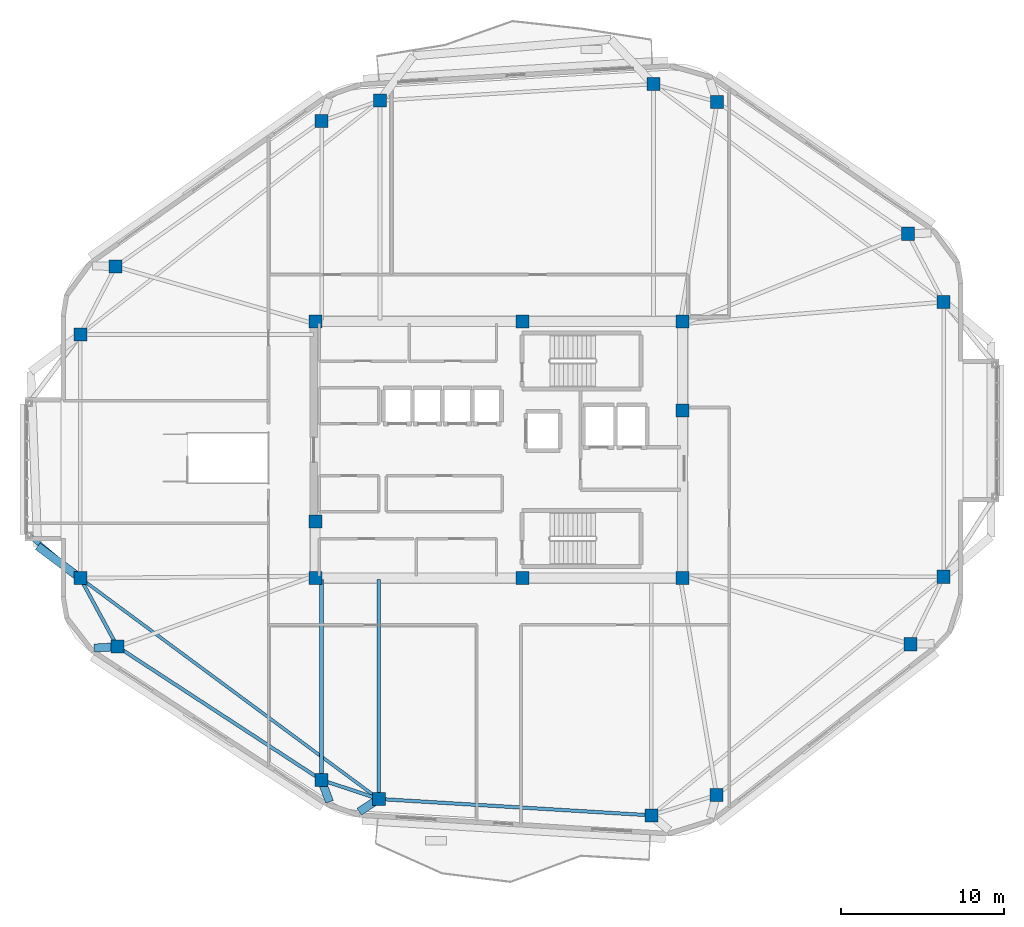
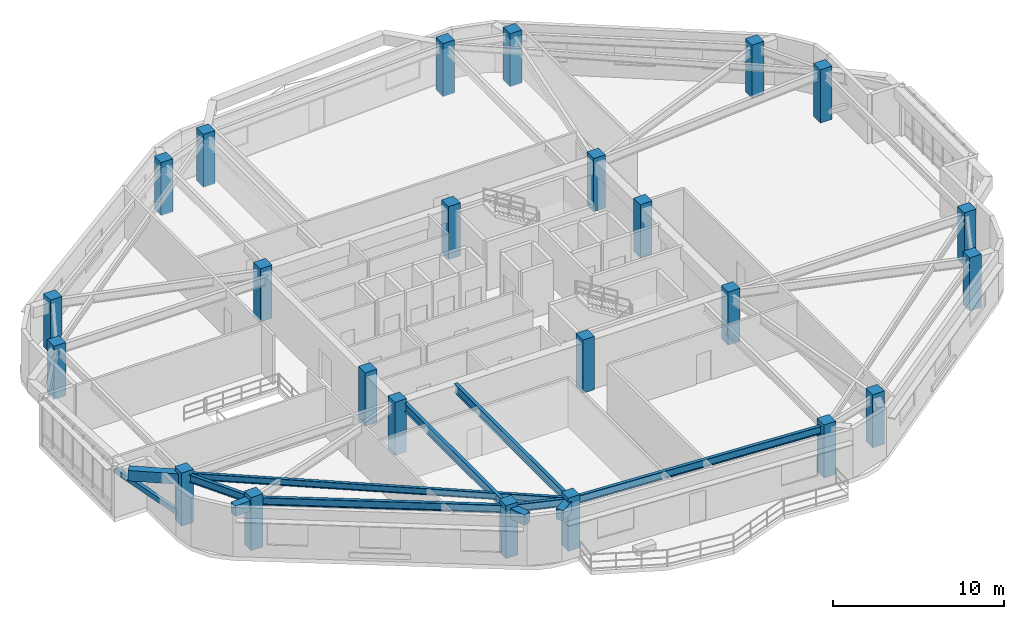
# One storey, part 1 of 16: 24 columns, 11 beams, 1 member.
"""IFC4 building model written with IfcOpenShell, lengths in metres."""

from ifc_helpers import new_model, si_unit, direction, frame, origin, origin_2d, place, context, subcontext, project, spatial, rectangle, hollow_rectangle, i_section, extrude, material, material_profile, profile_set, type_object, element, save


model = new_model("IFC4")

# Units and contexts
model_context = context("Model", 3, precision=1e-05, world=origin(), true_north=direction((0.0, 1.0)))
body_context = subcontext(model_context, "Body", "Model", "MODEL_VIEW")
ifc_project = project(units=[si_unit("LENGTHUNIT", "METRE"), si_unit("AREAUNIT", "SQUARE_METRE"), si_unit("VOLUMEUNIT", "CUBIC_METRE"), si_unit("PLANEANGLEUNIT", "RADIAN"), si_unit("MASSUNIT", "GRAM", prefix="KILO")], contexts=[model_context])

# Site, building, storey
site_placement = place(None, origin())
site = spatial("IfcSite", under=ifc_project, at=site_placement, CompositionType="ELEMENT")
building_placement = place(site_placement, origin())
building = spatial("IfcBuilding", under=site, at=building_placement, Name="Zulverin Broadcast Headquarters", CompositionType="ELEMENT")
storey_placement = place(building_placement, frame((0.0, 0.0, 228.800048828125)))
storey = spatial("IfcBuildingStorey", under=building, at=storey_placement, Name="L58", CompositionType="ELEMENT", Elevation=228.800048828125)

# Columns
ifc_material_1 = material(Name="Concrete C50/60", Category="concrete")
ifc_material_profile_1 = material_profile(ifc_material_1, rectangle(XDim=0.800048828125, YDim=0.800048828125, at=origin_2d()), Name="Concrete C50/60", Category="concrete")
ifc_profile_set_1 = profile_set([ifc_material_profile_1], Name="Concrete C50/60")
column_type_1 = type_object("IfcColumnType", Name="COL-RC-800", PredefinedType="COLUMN", material=ifc_profile_set_1)
for number, where, z_axis, x_axis, name in (
    (1, (29.6220703125, 3.763671875, 0.0), (0.0, 0.0, 1.0), (1.0, 0.0, 0.0), "L58 Perimeter Column T01"),
    (2, (46.3515625, 2.759521484375, 0.0), (0.0, 0.0, 1.0), (1.0, 0.0, 0.0), "L58 Perimeter Column T02"),
    (3, (50.361083984375, 4.001708984375, 0.0), (0.0, 0.0, 1.0), (1.0, 0.0, 0.0), "L58 Perimeter Column T03"),
    (4, (62.272216796875, 13.262451171875, 0.0), (0.0, 0.0, 1.0), (1.0, 0.0, 0.0), "L58 Perimeter Column T04"),
    (5, (64.300048828125, 17.40771484375, 0.0), (0.0, 0.0, 1.0), (1.0, 0.0, 0.0), "L58 Perimeter Column T05"),
    (6, (64.300048828125, 34.275634765625, 0.0), (0.0, 0.0, 1.0), (1.0, 0.0, 0.0), "L58 Perimeter Column T06"),
    (7, (62.102783203125, 38.465087890625, 0.0), (0.0, 0.0, 1.0), (1.0, 0.0, 0.0), "L58 Perimeter Column T07"),
    (8, (50.39794921875, 46.554443359375, 0.0), (0.0, 0.0, 1.0), (1.0, 0.0, 0.0), "L58 Perimeter Column T08"),
    (9, (46.4814453125, 47.6484375, 0.0), (0.0, 0.0, 1.0), (1.0, 0.0, 0.0), "L58 Perimeter Column T09"),
    (10, (29.70068359375, 46.64111328125, 0.0), (0.0, 0.0, 1.0), (1.0, 0.0, 0.0), "L58 Perimeter Column T10"),
    (11, (26.11474609375, 45.383544921875, 0.0), (0.0, 0.0, 1.0), (1.0, 0.0, 0.0), "L58 Perimeter Column T11"),
    (12, (13.46728515625, 36.457763671875, 0.0), (0.0, 0.0, 1.0), (1.0, 0.0, 0.0), "L58 Perimeter Column T12"),
    (13, (11.300048828125, 32.275390625, 0.0), (0.0, 0.0, 1.0), (1.0, 0.0, 0.0), "L58 Perimeter Column T13"),
    (14, (11.300048828125, 17.318603515625, 0.0), (0.0, 0.0, 1.0), (1.0, 0.0, 0.0), "L58 Perimeter Column T14"),
    (15, (13.576416015625, 13.11181640625, 0.0), (0.0, 0.0, 1.0), (1.0, 0.0, 0.0), "L58 Perimeter Column T15"),
    (16, (26.098876953125, 4.9287109375, 0.0), (0.0, 0.0, 1.0), (1.0, 0.0, 0.0), "L58 Perimeter Column T16"),
):
    element("IfcColumn", number, at=place(storey_placement, frame(where, z_axis=z_axis, x_axis=x_axis)), inside=storey, type_object=column_type_1, Name=name, PredefinedType="COLUMN", context=body_context, shape_type="SweptSolid", body=[
        extrude(rectangle(XDim=0.800048828125, YDim=0.800048828125, at=origin_2d()), origin(), (0.0, 0.0, 1.0), 3.800048828125),
    ])
ifc_material_profile_2 = material_profile(ifc_material_1, rectangle(XDim=0.800048828125, YDim=0.800048828125, at=origin_2d()), Name="Concrete C50/60", Category="concrete")
ifc_profile_set_2 = profile_set([ifc_material_profile_2], Name="Concrete C50/60")
column_type_2 = type_object("IfcColumnType", Name="PIL-RC-800", PredefinedType="PILASTER", material=ifc_profile_set_2)
for number, where, z_axis, x_axis, name in (
    (17, (25.72509765625, 17.324951171875, 0.0), (0.0, 0.0, 1.0), (1.0, 0.0, 0.0), "L58 Core Pilaster K01"),
    (18, (38.449951171875, 17.324951171875, 0.0), (0.0, 0.0, 1.0), (1.0, 0.0, 0.0), "L58 Core Pilaster K02"),
    (19, (48.27490234375, 17.324951171875, 0.0), (0.0, 0.0, 1.0), (1.0, 0.0, 0.0), "L58 Core Pilaster K03"),
    (20, (48.27490234375, 27.6201171875, 0.0), (0.0, 0.0, 1.0), (1.0, 0.0, 0.0), "L58 Core Pilaster K04"),
    (21, (48.27490234375, 33.074951171875, 0.0), (0.0, 0.0, 1.0), (1.0, 0.0, 0.0), "L58 Core Pilaster K05"),
    (22, (38.449951171875, 33.074951171875, 0.0), (0.0, 0.0, 1.0), (1.0, 0.0, 0.0), "L58 Core Pilaster K06"),
    (23, (25.72509765625, 33.074951171875, 0.0), (0.0, 0.0, 1.0), (1.0, 0.0, 0.0), "L58 Core Pilaster K07"),
    (24, (25.72509765625, 20.800048828125, 0.0), (0.0, 0.0, 1.0), (1.0, 0.0, 0.0), "L58 Core Pilaster K08"),
):
    element("IfcColumn", number, at=place(storey_placement, frame(where, z_axis=z_axis, x_axis=x_axis)), inside=storey, type_object=column_type_2, Name=name, PredefinedType="PILASTER", context=body_context, shape_type="SweptSolid", body=[
        extrude(rectangle(XDim=0.800048828125, YDim=0.800048828125, at=origin_2d()), origin(), (0.0, 0.0, 1.0), 3.800048828125),
    ])

# Beams
ifc_material_2 = material(Name="Concrete C40/50", Category="concrete")
ifc_material_profile_3 = material_profile(ifc_material_2, rectangle(XDim=0.5, YDim=0.75, at=origin_2d()), Name="Concrete C40/50", Category="concrete")
ifc_profile_set_3 = profile_set([ifc_material_profile_3], Name="Concrete C40/50")
beam_type_1 = type_object("IfcBeamType", Name="BM-RC-500x750", PredefinedType="BEAM", material=ifc_profile_set_3)
for number, where, z_axis, x_axis, name in (
    (25, (29.6220703125, 3.763671875, 3.135009765625), (-0.83837730459, -0.545090355031, 0.0), (0.545090355031, -0.83837730459, 0.0), "L59 Plate Overhang Back-Spanned Beam OVR-01"),
    (26, (13.576416015625, 13.11181640625, 3.135009765625), (-0.998333895448, -0.057701240879, 0.0), (0.057701240879, -0.998333895448, 0.0), "L59 Plate Overhang Back-Spanned Beam OVR-15"),
):
    element("IfcBeam", number, at=place(storey_placement, frame(where, z_axis=z_axis, x_axis=x_axis)), inside=storey, type_object=beam_type_1, Name=name, PredefinedType="BEAM", context=body_context, shape_type="SweptSolid", body=[
        extrude(rectangle(XDim=0.5, YDim=0.75, at=origin_2d()), origin(), (0.0, 0.0, 1.0), 1.43017578125),
    ])
beam_1_placement = place(storey_placement, frame((26.098876953125, 4.9287109375, 3.135009765625), z_axis=(0.348109371259, -0.93745392721, 0.0), x_axis=(0.93745392721, 0.348109371259, 0.0)))
element("IfcBeam", 27, at=beam_1_placement, inside=storey, type_object=beam_type_1, Name="L59 Plate Overhang Back-Spanned Beam OVR-16", PredefinedType="BEAM", context=body_context, shape_type="SweptSolid", body=[
    extrude(rectangle(XDim=0.5, YDim=0.75, at=origin_2d()), origin(), (0.0, 0.0, 1.0), 1.429931640625),
])
beam_2_placement = place(storey_placement, frame((11.300048828125, 17.318603515625, 3.135009765625), z_axis=(-0.800250474568, 0.599665888602, 0.0), x_axis=(-0.599665888602, -0.800250474568, 0.0)))
element("IfcBeam", 28, at=beam_2_placement, inside=storey, type_object=beam_type_1, Name="L59 Balcony Column-Framed Cantilever BAL_W-2", PredefinedType="BEAM", context=body_context, shape_type="SweptSolid", body=[
    extrude(rectangle(XDim=0.5, YDim=0.75, at=origin_2d()), origin(), (0.0, 0.0, 1.0), 3.274169921875),
])
ifc_material_3 = material(Name="Structural steel S355JR", Category="steel")
ifc_material_profile_4 = material_profile(ifc_material_3, i_section(OverallWidth=0.19287109375, OverallDepth=0.46728515625, WebThickness=0.011474609375, FlangeThickness=0.01953125, at=origin_2d()), Name="Structural steel S355JR", Category="steel")
ifc_profile_set_4 = profile_set([ifc_material_profile_4], Name="Structural steel S355JR")
beam_type_2 = type_object("IfcBeamType", Name="BM-UB-457", PredefinedType="JOIST", material=ifc_profile_set_4)
beam_3_placement = place(storey_placement, frame((11.300048828125, 17.318603515625, 3.2763671875), z_axis=(0.803912476144, -0.594747619332, 0.0), x_axis=(0.594747619332, 0.803912476144, 0.0)))
element("IfcBeam", 29, at=beam_3_placement, inside=storey, type_object=beam_type_2, Name="L58 Chordal Floor Joist J-04", PredefinedType="JOIST", context=body_context, shape_type="SweptSolid", body=[
    extrude(i_section(OverallWidth=0.19287109375, OverallDepth=0.46728515625, WebThickness=0.011474609375, FlangeThickness=0.01953125, at=origin_2d()), origin(), (0.0, 0.0, 1.0), 22.791015625),
])
ifc_material_profile_5 = material_profile(ifc_material_3, i_section(OverallWidth=0.2119140625, OverallDepth=0.54443359375, WebThickness=0.0126953125, FlangeThickness=0.021240234375, at=origin_2d()), Name="Structural steel S355JR", Category="steel")
ifc_profile_set_5 = profile_set([ifc_material_profile_5], Name="Structural steel S355JR")
beam_type_3 = type_object("IfcBeamType", Name="BM-UB-533", PredefinedType="SPANDREL", material=ifc_profile_set_5)
beam_4_placement = place(storey_placement, frame((29.6220703125, 3.763671875, 3.237548828125), z_axis=(0.998203486609, -0.059914934044, 0.0), x_axis=(0.059914934044, 0.998203486609, 0.0)))
element("IfcBeam", 30, at=beam_4_placement, inside=storey, type_object=beam_type_3, Name="L58 Perimeter Spandrel Beam SP-01", PredefinedType="SPANDREL", context=body_context, shape_type="SweptSolid", body=[
    extrude(i_section(OverallWidth=0.2119140625, OverallDepth=0.54443359375, WebThickness=0.0126953125, FlangeThickness=0.021240234375, at=origin_2d()), origin(), (0.0, 0.0, 1.0), 16.759521484375),
])
beam_5_placement = place(storey_placement, frame((11.300048828125, 17.318603515625, 3.237548828125), z_axis=(0.475909852672, -0.879494066, 0.0), x_axis=(0.879494066, 0.475909852672, 0.0)))
element("IfcBeam", 31, at=beam_5_placement, inside=storey, type_object=beam_type_3, Name="L58 Perimeter Spandrel Beam SP-14", PredefinedType="SPANDREL", context=body_context, shape_type="SweptSolid", body=[
    extrude(i_section(OverallWidth=0.2119140625, OverallDepth=0.54443359375, WebThickness=0.0126953125, FlangeThickness=0.021240234375, at=origin_2d()), origin(), (0.0, 0.0, 1.0), 4.783203125),
])
beam_6_placement = place(storey_placement, frame((13.576416015625, 13.11181640625, 3.237548828125), z_axis=(0.837112191398, -0.547031241349, 0.0), x_axis=(0.547031241349, 0.837112191398, 0.0)))
element("IfcBeam", 32, at=beam_6_placement, inside=storey, type_object=beam_type_3, Name="L58 Perimeter Spandrel Beam SP-15", PredefinedType="SPANDREL", context=body_context, shape_type="SweptSolid", body=[
    extrude(i_section(OverallWidth=0.2119140625, OverallDepth=0.54443359375, WebThickness=0.0126953125, FlangeThickness=0.021240234375, at=origin_2d()), origin(), (0.0, 0.0, 1.0), 14.959228515625),
])
beam_7_placement = place(storey_placement, frame((26.098876953125, 4.9287109375, 3.237548828125), z_axis=(0.949437184981, -0.313957054031, 0.0), x_axis=(0.313957054031, 0.949437184981, 0.0)))
element("IfcBeam", 33, at=beam_7_placement, inside=storey, type_object=beam_type_3, Name="L58 Perimeter Spandrel Beam SP-16", PredefinedType="SPANDREL", context=body_context, shape_type="SweptSolid", body=[
    extrude(i_section(OverallWidth=0.2119140625, OverallDepth=0.54443359375, WebThickness=0.0126953125, FlangeThickness=0.021240234375, at=origin_2d()), origin(), (0.0, 0.0, 1.0), 3.7109375),
])
ifc_material_profile_6 = material_profile(ifc_material_3, i_section(OverallWidth=0.230224609375, OverallDepth=0.6171875, WebThickness=0.01318359375, FlangeThickness=0.022216796875, at=origin_2d()), Name="Structural steel S355JR", Category="steel")
ifc_profile_set_6 = profile_set([ifc_material_profile_6], Name="Structural steel S355JR")
beam_type_4 = type_object("IfcBeamType", Name="BM-UB-610", PredefinedType="BEAM", material=ifc_profile_set_6)
beam_8_placement = place(storey_placement, frame((29.6220703125, 17.22509765625, 3.201416015625), z_axis=(0.0, -1.0, 0.0), x_axis=(1.0, 0.0, 0.0)))
element("IfcBeam", 34, at=beam_8_placement, inside=storey, type_object=beam_type_4, Name="L58 Radial Primary Floor Beam RB-01", PredefinedType="BEAM", context=body_context, shape_type="SweptSolid", body=[
    extrude(i_section(OverallWidth=0.230224609375, OverallDepth=0.6171875, WebThickness=0.01318359375, FlangeThickness=0.022216796875, at=origin_2d()), origin(), (0.0, 0.0, 1.0), 13.46142578125),
])
beam_9_placement = place(storey_placement, frame((26.098876953125, 17.22509765625, 3.201416015625), z_axis=(0.0, -1.0, 0.0), x_axis=(1.0, 0.0, 0.0)))
element("IfcBeam", 35, at=beam_9_placement, inside=storey, type_object=beam_type_4, Name="L58 Radial Primary Floor Beam RB-16", PredefinedType="BEAM", context=body_context, shape_type="SweptSolid", body=[
    extrude(i_section(OverallWidth=0.230224609375, OverallDepth=0.6171875, WebThickness=0.01318359375, FlangeThickness=0.022216796875, at=origin_2d()), origin(), (0.0, 0.0, 1.0), 12.29638671875),
])

# Member
ifc_material_profile_7 = material_profile(ifc_material_3, hollow_rectangle(XDim=0.300048828125, YDim=0.300048828125, WallThickness=0.01611328125, at=origin_2d()), Name="Structural steel S355JR", Category="steel")
ifc_profile_set_7 = profile_set([ifc_material_profile_7], Name="Structural steel S355JR")
member_type = type_object("IfcMemberType", Name="MBR-BLT-DIAG1", PredefinedType="BRACE", material=ifc_profile_set_7)
member_placement = place(storey_placement, frame((11.300048828125, 17.318603515625, 0.349853515625), z_axis=(-0.629018566949, 0.527424000296, 0.571103813982), x_axis=(-0.64251216498, -0.766275484309, 0.0)))
element("IfcMember", 36, at=member_placement, inside=storey, type_object=member_type, Name="L58 Studio Box Raking Knee Brace SBOX_SKY2_W-1", PredefinedType="BRACE", context=body_context, shape_type="SweptSolid", body=[
    extrude(hollow_rectangle(XDim=0.300048828125, YDim=0.300048828125, WallThickness=0.01611328125, at=origin_2d()), origin(), (0.0, 0.0, 1.0), 5.008056640625),
])

save(model, "model.ifc")
